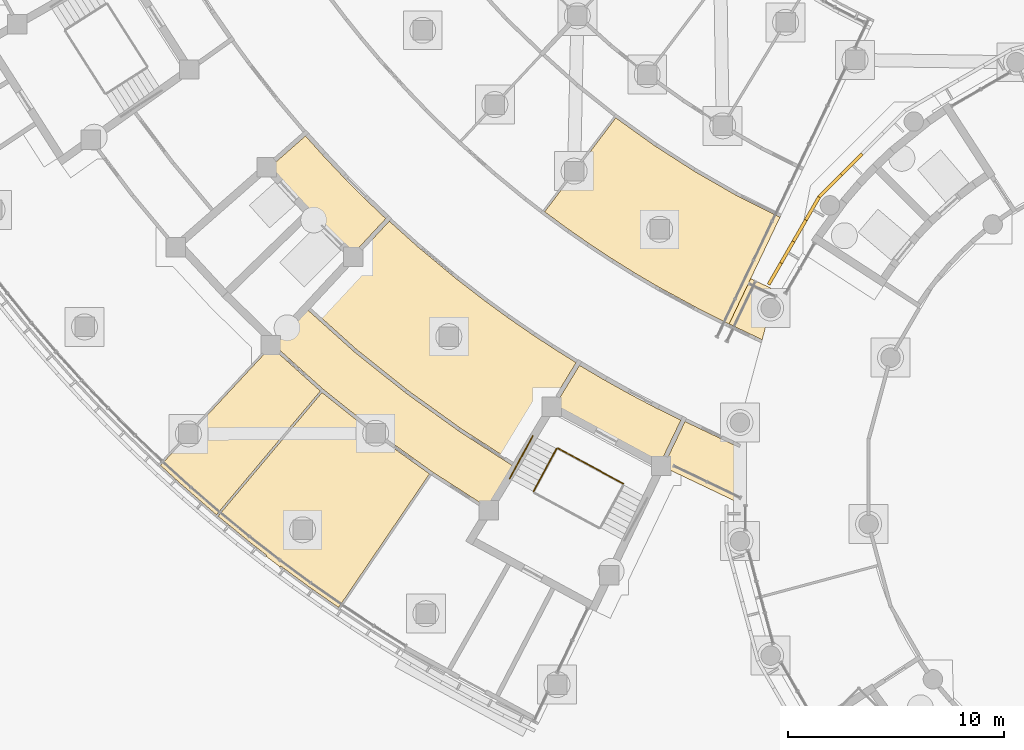
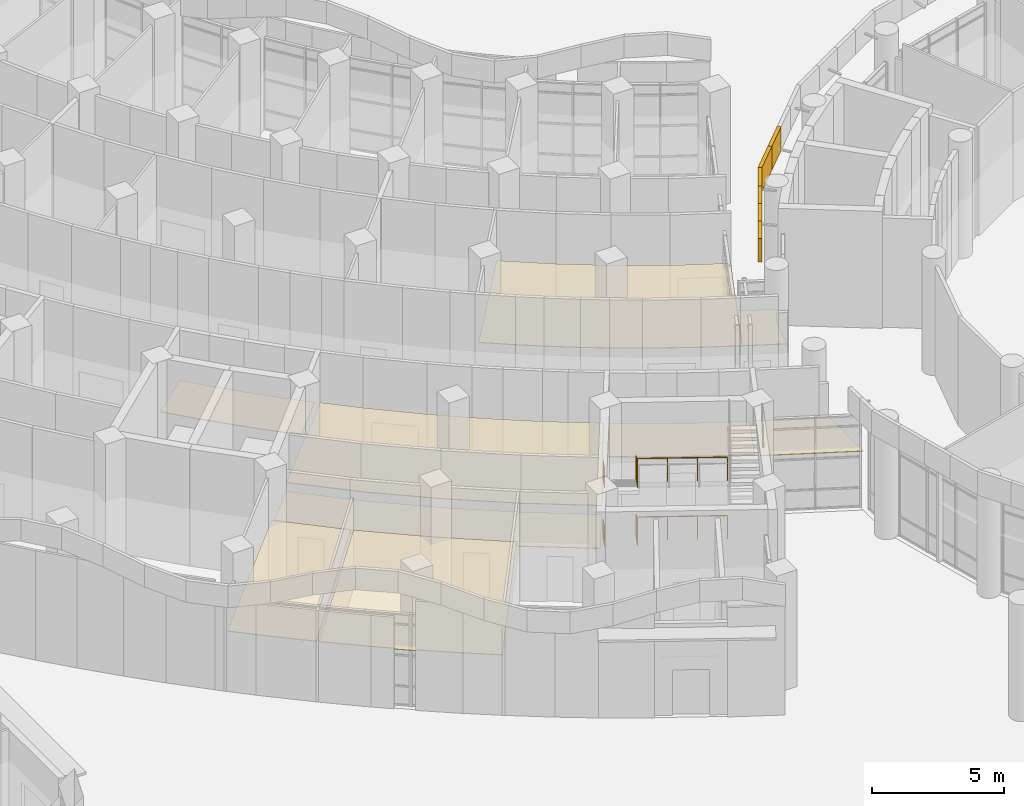
# One storey, part 121 of 146: 15 coverings, 6 railings.
"""IFC4 building model written with IfcOpenShell, lengths in metres."""

from ifc_helpers import new_model, si_unit, direction, frame, origin, origin_2d, place, context, subcontext, project, spatial, polyline, circle, outline, extrude, material, layer, layer_set, type_object, element, save


model = new_model("IFC4")

# Units and contexts
model_context = context("Model", 3, precision=1e-05, world=origin(), true_north=direction((0.0, 1.0)))
body_context = subcontext(model_context, "Body", "Model", "MODEL_VIEW")
ifc_project = project(units=[si_unit("LENGTHUNIT", "METRE"), si_unit("AREAUNIT", "SQUARE_METRE"), si_unit("VOLUMEUNIT", "CUBIC_METRE"), si_unit("PLANEANGLEUNIT", "RADIAN"), si_unit("MASSUNIT", "GRAM", prefix="KILO")], contexts=[model_context])

# Site, building, storey
site_placement = place(None, origin())
site = spatial("IfcSite", under=ifc_project, at=site_placement, CompositionType="ELEMENT")
building_placement = place(site_placement, origin())
building = spatial("IfcBuilding", under=site, at=building_placement, Name="Bougainvillea Quay General Hospital", CompositionType="ELEMENT")
storey_placement = place(building_placement, origin())
storey = spatial("IfcBuildingStorey", under=building, at=storey_placement, Name="L00", CompositionType="ELEMENT", Elevation=0.0)

# Coverings
ifc_material_1 = material(Name="Powder-coated aluminium fascia, white", Category="aluminium")
ifc_layer_1 = layer(ifc_material_1, 0.14990234375)
ifc_layer_set_1 = layer_set([ifc_layer_1], Name="Powder-coated aluminium fascia, white")
covering_type_1 = type_object("IfcCoveringType", Name="Aluminium fascia band white 150x1100", PredefinedType="CLADDING", material=ifc_layer_set_1)
covering_1_placement = place(storey_placement, frame((94.089111328125, 89.11083984375, 4.85009765625), z_axis=(0.0, 0.0, 1.0), x_axis=(-0.707106781187, -0.707106781187, 0.0)))
element("IfcCovering", 1, at=covering_1_placement, inside=storey, type_object=covering_type_1, Name="Fascia band white e0 37", PredefinedType="CLADDING", context=body_context, shape_type="SweptSolid", body=[
    extrude(outline(polyline([(0.0, 0.0), (1.370364655531937, 0.0), (1.370364655531937, -0.15019113760554115), (0.0, -0.15019113760554112), (0.0, 0.0)])), origin(), (0.0, 0.0, 1.0), 1.10009765625),
])
covering_2_placement = place(storey_placement, frame((93.1201171875, 88.141845703125, 4.85009765625), z_axis=(0.0, 0.0, 1.0), x_axis=(-0.707106781187, -0.707106781187, 0.0)))
element("IfcCovering", 2, at=covering_2_placement, inside=storey, type_object=covering_type_1, Name="Fascia band white e0 38", PredefinedType="CLADDING", context=body_context, shape_type="SweptSolid", body=[
    extrude(outline(polyline([(0.0, 0.0), (1.4428707219621983, 0.0), (1.4625509399932692, -0.15019113760554115), (0.0, -0.15019113760554112), (0.0, 0.0)])), origin(), (0.0, 0.0, 1.0), 1.10009765625),
])
covering_3_placement = place(storey_placement, frame((92.099853515625, 87.12158203125, 4.85009765625), z_axis=(0.0, 0.0, 1.0), x_axis=(-0.499930512259, -0.866065518833, 0.0)))
element("IfcCovering", 3, at=covering_3_placement, inside=storey, type_object=covering_type_1, Name="Fascia band white e0 39", PredefinedType="CLADDING", context=body_context, shape_type="SweptSolid", body=[
    extrude(outline(polyline([(0.0, 0.0), (1.2189193999108408, 0.0), (1.2189391553405198, -0.14995740314525635), (-0.019874744650287615, -0.15016551975098325), (0.0, 0.0)])), origin(), (0.0, 0.0, 1.0), 1.10009765625),
])
for number, where, z_axis, x_axis, name in (
    (4, (91.490478515625, 86.06591796875, 4.85009765625), (0.0, 0.0, 1.0), (-0.499986657325, -0.866033107044, 0.0), "Fascia band white e0 40"),
    (5, (90.917236328125, 85.072998046875, 4.85009765625), (0.0, 0.0, 1.0), (-0.499986657325, -0.866033107044, 0.0), "Fascia band white e0 41"),
):
    element("IfcCovering", number, at=place(storey_placement, frame(where, z_axis=z_axis, x_axis=x_axis)), inside=storey, type_object=covering_type_1, Name=name, PredefinedType="CLADDING", context=body_context, shape_type="SweptSolid", body=[
        extrude(outline(polyline([(0.0, 0.0), (1.1465149701534827, 0.0), (1.1465444471637856, -0.14995740154941278), (2.9477010302911277e-05, -0.14995740154941273), (0.0, 0.0)])), origin(), (0.0, 0.0, 1.0), 1.10009765625),
    ])
covering_4_placement = place(storey_placement, frame((90.343994140625, 84.080078125, 4.85009765625), z_axis=(0.0, 0.0, 1.0), x_axis=(-0.499894466757, -0.866086324858, 0.0)))
element("IfcCovering", 6, at=covering_4_placement, inside=storey, type_object=covering_type_1, Name="Fascia band white e0 42", PredefinedType="CLADDING", context=body_context, shape_type="SweptSolid", body=[
    extrude(outline(polyline([(0.0, 0.0), (1.1467264105144213, 0.0), (1.1467399248169607, -0.14995740383758843), (1.351430253937469e-05, -0.1499574038375884), (0.0, 0.0)])), origin(), (0.0, 0.0, 1.0), 1.10009765625),
])

# Railings
ifc_material_2 = material(Name="Stainless steel 304 balustrade", Category="steel")
railing_type_1 = type_object("IfcRailingType", Name="Stair guard 1100", PredefinedType="GUARDRAIL", material=ifc_material_2)
railing_1_placement = place(storey_placement, frame((79.900634765625, 75.52734375, 0.14990234375)))
element("IfcRailing", 7, at=railing_1_placement, inside=storey, type_object=railing_type_1, Name="L00 ST-W1 stair guard 1", PredefinedType="GUARDRAIL", context=body_context, shape_type="SweptSolid", body=[
    extrude(circle(Radius=0.02392578125, at=origin_2d()), frame((0.0, 0.0, 1.076171875), z_axis=(-0.419352704591, -0.775298127389, 0.472288177725), x_axis=(0.879577093655, -0.475756383371, 0.0)), (0.0, 0.0, 1.0), 2.541259765625),
    extrude(circle(Radius=0.02099609375, at=origin_2d()), origin(), (0.0, 0.0, 1.0), 1.052001953125),
    extrude(circle(Radius=0.02099609375, at=origin_2d()), frame((-0.355224609375, -0.65673828125, 0.400146484375)), (0.0, 0.0, 1.0), 1.052001953125),
    extrude(circle(Radius=0.02099609375, at=origin_2d()), frame((-0.71044921875, -1.3134765625, 0.800048828125)), (0.0, 0.0, 1.0), 1.052001953125),
    extrude(circle(Radius=0.02099609375, at=origin_2d()), frame((-1.065673828125, -1.97021484375, 1.2001953125)), (0.0, 0.0, 1.0), 1.052001953125),
])
railing_2_placement = place(storey_placement, frame((79.96826171875, 75.547607421875, 2.699951171875)))
element("IfcRailing", 8, at=railing_2_placement, inside=storey, type_object=railing_type_1, Name="L00 ST-W1 stair guard 4", PredefinedType="GUARDRAIL", context=body_context, shape_type="SweptSolid", body=[
    extrude(circle(Radius=0.02392578125, at=origin_2d()), frame((0.0, 0.0, 1.076171875), z_axis=(0.879580645355, -0.475749816939, 0.0), x_axis=(0.475749816939, 0.879580645355, 0.0)), (0.0, 0.0, 1.0), 3.421875),
    extrude(circle(Radius=0.02099609375, at=origin_2d()), origin(), (0.0, 0.0, 1.0), 1.052001953125),
    extrude(circle(Radius=0.02099609375, at=origin_2d()), frame((1.003173828125, -0.542724609375, 0.0)), (0.0, 0.0, 1.0), 1.052001953125),
    extrude(circle(Radius=0.02099609375, at=origin_2d()), frame((2.006591796875, -1.085205078125, 0.0)), (0.0, 0.0, 1.0), 1.052001953125),
    extrude(circle(Radius=0.02099609375, at=origin_2d()), frame((3.009765625, -1.6279296875, 0.0)), (0.0, 0.0, 1.0), 1.052001953125),
])
railing_3_placement = place(storey_placement, frame((79.900634765625, 75.52734375, 2.85009765625)))
element("IfcRailing", 9, at=railing_3_placement, inside=storey, type_object=railing_type_1, Name="L00 ST-W1 stair guard 5", PredefinedType="GUARDRAIL", context=body_context, shape_type="SweptSolid", body=[
    extrude(circle(Radius=0.02392578125, at=origin_2d()), frame((0.0, 0.0, 1.076171875), z_axis=(-0.419371731451, -0.775333304194, 0.472213530373), x_axis=(0.879577093655, -0.475756383371, 0.0)), (0.0, 0.0, 1.0), 2.541015625),
    extrude(circle(Radius=0.02099609375, at=origin_2d()), origin(), (0.0, 0.0, 1.0), 1.052001953125),
    extrude(circle(Radius=0.02099609375, at=origin_2d()), frame((-0.355224609375, -0.65673828125, 0.39990234375)), (0.0, 0.0, 1.0), 1.052001953125),
    extrude(circle(Radius=0.02099609375, at=origin_2d()), frame((-0.71044921875, -1.3134765625, 0.800048828125)), (0.0, 0.0, 1.0), 1.052001953125),
    extrude(circle(Radius=0.02099609375, at=origin_2d()), frame((-1.065673828125, -1.97021484375, 1.199951171875)), (0.0, 0.0, 1.0), 1.052001953125),
])
railing_4_placement = place(storey_placement, frame((79.96826171875, 75.547607421875, 0.0)))
element("IfcRailing", 10, at=railing_4_placement, inside=storey, type_object=railing_type_1, Name="L00 ST-W1 stair guard 8", PredefinedType="GUARDRAIL", context=body_context, shape_type="SweptSolid", body=[
    extrude(circle(Radius=0.02392578125, at=origin_2d()), frame((0.0, 0.0, 1.076171875), z_axis=(0.879580645355, -0.475749816939, 0.0), x_axis=(0.475749816939, 0.879580645355, 0.0)), (0.0, 0.0, 1.0), 3.421875),
    extrude(circle(Radius=0.02099609375, at=origin_2d()), origin(), (0.0, 0.0, 1.0), 1.052001953125),
    extrude(circle(Radius=0.02099609375, at=origin_2d()), frame((1.003173828125, -0.542724609375, 0.0)), (0.0, 0.0, 1.0), 1.052001953125),
    extrude(circle(Radius=0.02099609375, at=origin_2d()), frame((2.006591796875, -1.085205078125, 0.0)), (0.0, 0.0, 1.0), 1.052001953125),
    extrude(circle(Radius=0.02099609375, at=origin_2d()), frame((3.009765625, -1.6279296875, 0.0)), (0.0, 0.0, 1.0), 1.052001953125),
])
ifc_material_3 = material(Name="Stainless steel 304 handrail", Category="steel")
railing_type_2 = type_object("IfcRailingType", Name="Stair handrail 900", PredefinedType="HANDRAIL", material=ifc_material_3)
railing_5_placement = place(storey_placement, frame((78.801025390625, 76.1220703125, 0.14990234375)))
element("IfcRailing", 11, at=railing_5_placement, inside=storey, type_object=railing_type_2, Name="L00 ST-W1 stair handrail 1", PredefinedType="HANDRAIL", context=body_context, shape_type="SweptSolid", body=[
    extrude(circle(Radius=0.02392578125, at=origin_2d()), frame((0.0, 0.0, 0.8759765625), z_axis=(-0.419321471011, -0.775336447315, 0.472253001487), x_axis=(0.879601760134, -0.475710777225, 0.0)), (0.0, 0.0, 1.0), 2.54150390625),
    extrude(circle(Radius=0.02099609375, at=origin_2d()), origin(), (0.0, 0.0, 1.0), 0.851806640625),
    extrude(circle(Radius=0.02099609375, at=origin_2d()), frame((-0.355224609375, -0.65673828125, 0.400146484375)), (0.0, 0.0, 1.0), 0.851806640625),
    extrude(circle(Radius=0.02099609375, at=origin_2d()), frame((-0.71044921875, -1.313720703125, 0.800048828125)), (0.0, 0.0, 1.0), 0.851806640625),
    extrude(circle(Radius=0.02099609375, at=origin_2d()), frame((-1.065673828125, -1.970458984375, 1.2001953125)), (0.0, 0.0, 1.0), 0.851806640625),
])
railing_6_placement = place(storey_placement, frame((78.801025390625, 76.1220703125, 2.85009765625)))
element("IfcRailing", 12, at=railing_6_placement, inside=storey, type_object=railing_type_2, Name="L00 ST-W1 stair handrail 3", PredefinedType="HANDRAIL", context=body_context, shape_type="SweptSolid", body=[
    extrude(circle(Radius=0.02392578125, at=origin_2d()), frame((0.0, 0.0, 0.8759765625), z_axis=(-0.419340493619, -0.775371620619, 0.472178356504), x_axis=(0.879601760134, -0.475710777225, 0.0)), (0.0, 0.0, 1.0), 2.541259765625),
    extrude(circle(Radius=0.02099609375, at=origin_2d()), origin(), (0.0, 0.0, 1.0), 0.851806640625),
    extrude(circle(Radius=0.02099609375, at=origin_2d()), frame((-0.355224609375, -0.65673828125, 0.39990234375)), (0.0, 0.0, 1.0), 0.851806640625),
    extrude(circle(Radius=0.02099609375, at=origin_2d()), frame((-0.71044921875, -1.313720703125, 0.800048828125)), (0.0, 0.0, 1.0), 0.851806640625),
    extrude(circle(Radius=0.02099609375, at=origin_2d()), frame((-1.065673828125, -1.970458984375, 1.199951171875)), (0.0, 0.0, 1.0), 0.851806640625),
])

# Coverings
ifc_material_4 = material(Name="Mineral fibre ceiling tile")
ifc_layer_2 = layer(ifc_material_4, 0.030029296875)
ifc_layer_set_2 = layer_set([ifc_layer_2], Name="Mineral fibre ceiling tile")
covering_type_2 = type_object("IfcCoveringType", Name="Suspended ceiling mineral fibre tile", PredefinedType="CEILING", material=ifc_layer_set_2)
covering_5_placement = place(storey_placement, frame((0.0, 0.0, 2.699951171875)))
element("IfcCovering", 13, at=covering_5_placement, inside=storey, type_object=covering_type_2, Name="Ceiling Lift Lobby LB-W1", PredefinedType="CEILING", context=body_context, shape_type="SweptSolid", body=[
    extrude(outline(polyline([(71.1474609375, 86.9853515625), (71.145751953125, 86.983642578125), (71.075927734375, 87.053466796875), (71.004638671875, 87.12158203125), (71.00634765625, 87.12353515625), (70.169921875, 87.96337890625), (70.16796875, 87.961669921875), (70.100341796875, 88.033447265625), (70.030517578125, 88.103271484375), (70.032470703125, 88.10498046875), (69.218505859375, 88.96533203125), (69.216552734375, 88.9638671875), (69.150390625, 89.037109375), (69.08251953125, 89.10888671875), (69.08447265625, 89.110595703125), (68.292724609375, 89.98974609375), (66.63916015625, 88.53955078125), (67.533447265625, 87.544921875), (68.521728515625, 86.500732421875), (69.536865234375, 85.4814453125), (70.5048828125, 84.558349609375), (72.00341796875, 86.168701171875), (71.1474609375, 86.9853515625)])), origin(), (0.0, 0.0, 1.0), 0.030029296875),
])
covering_6_placement = place(storey_placement, frame((0.0, 0.0, 2.699951171875)))
element("IfcCovering", 14, at=covering_6_placement, inside=storey, type_object=covering_type_2, Name="Ceiling Smoke-proof Vestibule ST-W1", PredefinedType="CEILING", context=body_context, shape_type="SweptSolid", body=[
    extrude(outline(polyline([(85.647216796875, 76.85302734375), (84.586181640625, 77.376220703125), (84.585205078125, 77.3740234375), (84.49755859375, 77.419921875), (84.4091796875, 77.463623046875), (84.41015625, 77.4658203125), (83.36083984375, 78.01611328125), (83.359619140625, 78.013916015625), (83.2734375, 78.06201171875), (83.18603515625, 78.10791015625), (83.187255859375, 78.110107421875), (82.152587890625, 78.686279296875), (82.151123046875, 78.68408203125), (82.066162109375, 78.734375), (81.97998046875, 78.7822265625), (81.981201171875, 78.784423828125), (80.962158203125, 79.38671875), (79.819091796875, 77.507568359375), (80.970703125, 76.82666015625), (82.2265625, 76.126953125), (83.500244140625, 75.459228515625), (84.700439453125, 74.867431640625), (85.647216796875, 76.85302734375)])), origin(), (0.0, 0.0, 1.0), 0.030029296875),
])
covering_7_placement = place(storey_placement, frame((0.0, 0.0, 2.39990234375)))
element("IfcCovering", 15, at=covering_7_placement, inside=storey, type_object=covering_type_2, Name="Ceiling Clinic Corridor 00W1", PredefinedType="CEILING", context=body_context, shape_type="SweptSolid", body=[
    extrude(outline(polyline([(75.357421875, 76.36669921875), (73.001220703125, 78.0576171875), (72.998779296875, 78.0546875), (72.941650390625, 78.10009765625), (72.88232421875, 78.142822265625), (72.884521484375, 78.145751953125), (70.617431640625, 79.955322265625), (70.614501953125, 79.9521484375), (70.560546875, 80.000732421875), (70.503662109375, 80.046142578125), (70.50634765625, 80.049560546875), (68.3330078125, 82.003662109375), (66.901611328125, 80.464599609375), (66.938232421875, 80.4306640625), (66.93798828125, 80.42919921875), (66.83935546875, 80.323974609375), (69.113525390625, 78.27734375), (71.584228515625, 76.306884765625), (74.152099609375, 74.463134765625), (76.766845703125, 72.780029296875), (77.93701171875, 74.701904296875), (75.478271484375, 76.284423828125), (75.476318359375, 76.28125), (75.416748046875, 76.323974609375), (75.355224609375, 76.363525390625), (75.357421875, 76.36669921875)])), origin(), (0.0, 0.0, 1.0), 0.030029296875),
])
covering_8_placement = place(storey_placement, frame((0.0, 0.0, 2.699951171875)))
element("IfcCovering", 16, at=covering_8_placement, inside=storey, type_object=covering_type_2, Name="Ceiling Outpatient Reception Waiting Hall 00W101", PredefinedType="CEILING", context=body_context, shape_type="SweptSolid", body=[
    extrude(outline(polyline([(75.23095703125, 83.41357421875), (75.1728515625, 83.45849609375), (75.174560546875, 83.460693359375), (73.517578125, 84.840087890625), (73.515625, 84.838134765625), (73.4609375, 84.88720703125), (73.404296875, 84.934326171875), (73.40625, 84.9365234375), (72.167236328125, 86.05126953125), (70.6494140625, 84.420166015625), (70.650390625, 84.41943359375), (70.51416015625, 84.274658203125), (70.512451171875, 84.274658203125), (70.47705078125, 84.308349609375), (68.435302734375, 82.113525390625), (70.657470703125, 80.115234375), (73.0322265625, 78.2197265625), (75.501220703125, 76.447998046875), (78.014892578125, 74.830078125), (79.5859375, 77.4130859375), (79.5439453125, 77.437744140625), (79.543701171875, 77.439453125), (79.645751953125, 77.60986328125), (79.64697265625, 77.609375), (80.80419921875, 79.511962890625), (79.78125, 80.152587890625), (79.7802734375, 80.151123046875), (79.655517578125, 80.231201171875), (79.656494140625, 80.232666015625), (78.8359375, 80.77294921875), (78.8349609375, 80.771728515625), (78.712158203125, 80.8544921875), (78.713134765625, 80.85595703125), (77.732421875, 81.53369140625), (77.7314453125, 81.5322265625), (77.610595703125, 81.617919921875), (77.61181640625, 81.619384765625), (76.648681640625, 82.321533203125), (76.6474609375, 82.31982421875), (76.5888671875, 82.364990234375), (76.529296875, 82.40869140625), (76.530517578125, 82.41015625), (75.289306640625, 83.368408203125), (75.28759765625, 83.366455078125), (75.23095703125, 83.41357421875)])), origin(), (0.0, 0.0, 1.0), 0.030029296875),
])
covering_9_placement = place(storey_placement, frame((0.0, 0.0, 2.699951171875)))
element("IfcCovering", 17, at=covering_9_placement, inside=storey, type_object=covering_type_2, Name="Ceiling Interview Room 00W112", PredefinedType="CEILING", context=body_context, shape_type="SweptSolid", body=[
    extrude(outline(polyline([(67.12109375, 70.06201171875), (67.150634765625, 70.102294921875), (68.56103515625, 69.068603515625), (69.824951171875, 68.18994140625), (74.025634765625, 74.365966796875), (74.00634765625, 74.37841796875), (74.00830078125, 74.381591796875), (71.55322265625, 76.14453125), (71.55078125, 76.1416015625), (71.49365234375, 76.187255859375), (71.434326171875, 76.229736328125), (71.4365234375, 76.23291015625), (69.073486328125, 78.1171875), (69.070556640625, 78.114013671875), (69.053955078125, 78.129150390625), (64.2509765625, 72.41064453125), (65.76806640625, 71.170166015625), (66.502685546875, 70.599365234375), (66.471923828125, 70.56005859375), (67.12109375, 70.06201171875)])), origin(), (0.0, 0.0, 1.0), 0.030029296875),
])
covering_10_placement = place(storey_placement, frame((0.0, 0.0, 2.699951171875)))
element("IfcCovering", 18, at=covering_10_placement, inside=storey, type_object=covering_type_2, Name="Ceiling Interview Room 00W113", PredefinedType="CEILING", context=body_context, shape_type="SweptSolid", body=[
    extrude(outline(polyline([(68.9775390625, 78.19384765625), (68.959716796875, 78.2080078125), (68.96240234375, 78.21142578125), (66.7373046875, 80.214111328125), (66.734130859375, 80.212646484375), (66.698974609375, 80.246337890625), (61.592041015625, 74.7587890625), (62.46435546875, 73.960205078125), (64.17431640625, 72.47509765625), (68.9775390625, 78.19384765625)])), origin(), (0.0, 0.0, 1.0), 0.030029296875),
])
covering_11_placement = place(storey_placement, frame((0.0, 0.0, 2.699951171875)))
element("IfcCovering", 19, at=covering_11_placement, inside=storey, type_object=covering_type_2, Name="Ceiling Health Education Waiting Hall 00W101", PredefinedType="CEILING", context=body_context, shape_type="SweptSolid", body=[
    extrude(outline(polyline([(90.26611328125, 86.303955078125), (90.232666015625, 86.23681640625), (88.2978515625, 87.199462890625), (88.295654296875, 87.195556640625), (88.232666015625, 87.23193359375), (88.16748046875, 87.26416015625), (88.16943359375, 87.26806640625), (86.357421875, 88.308349609375), (86.35546875, 88.305419921875), (86.2939453125, 88.344970703125), (86.230712890625, 88.38134765625), (86.232421875, 88.384521484375), (84.476318359375, 89.514404296875), (84.47412109375, 89.51123046875), (84.414794921875, 89.553955078125), (84.353271484375, 89.593505859375), (84.35546875, 89.5966796875), (82.658203125, 90.814453125), (82.65576171875, 90.8115234375), (82.6376953125, 90.825927734375), (79.3515625, 86.485107421875), (80.427734375, 85.69189453125), (81.443115234375, 84.986083984375), (82.4765625, 84.30517578125), (83.52587890625, 83.650146484375), (84.592041015625, 83.022216796875), (86.40380859375, 82.03759765625), (87.87841796875, 81.2998046875), (90.26611328125, 86.303955078125)])), origin(), (0.0, 0.0, 1.0), 0.030029296875),
])
covering_12_placement = place(storey_placement, frame((0.0, 0.0, 2.699951171875)))
element("IfcCovering", 20, at=covering_12_placement, inside=storey, type_object=covering_type_2, Name="Ceiling West Arm Entrance Portal Lounge", PredefinedType="CEILING", context=body_context, shape_type="SweptSolid", body=[
    extrude(outline(polyline([(88.3798828125, 75.658935546875), (88.34765625, 75.59130859375), (85.837890625, 76.788330078125), (84.879638671875, 74.779052734375), (84.880859375, 74.778564453125), (84.837158203125, 74.68994140625), (88.3798828125, 73.0), (88.3798828125, 75.658935546875)])), origin(), (0.0, 0.0, 1.0), 0.030029296875),
])
covering_13_placement = place(storey_placement, frame((0.0, 0.0, 2.699951171875)))
element("IfcCovering", 21, at=covering_13_placement, inside=storey, type_object=covering_type_2, Name="Ceiling West Arm Entrance Portal Lounge", PredefinedType="CEILING", context=body_context, shape_type="SweptSolid", body=[
    extrude(outline(polyline([(88.8798828125, 83.39794921875), (87.87841796875, 81.2998046875), (89.40673828125, 80.57080078125), (89.799072265625, 82.035888671875), (90.217041015625, 82.760009765625), (88.8798828125, 83.39794921875)])), origin(), (0.0, 0.0, 1.0), 0.030029296875),
])

save(model, "model.ifc")
